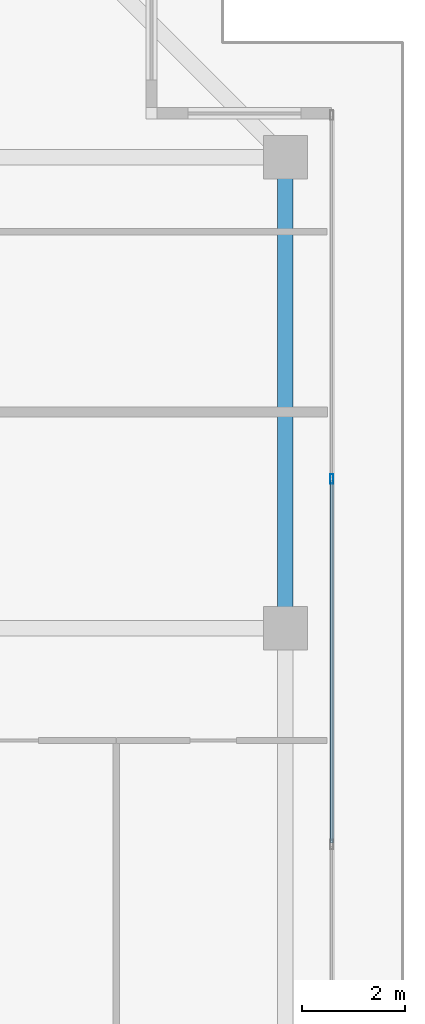
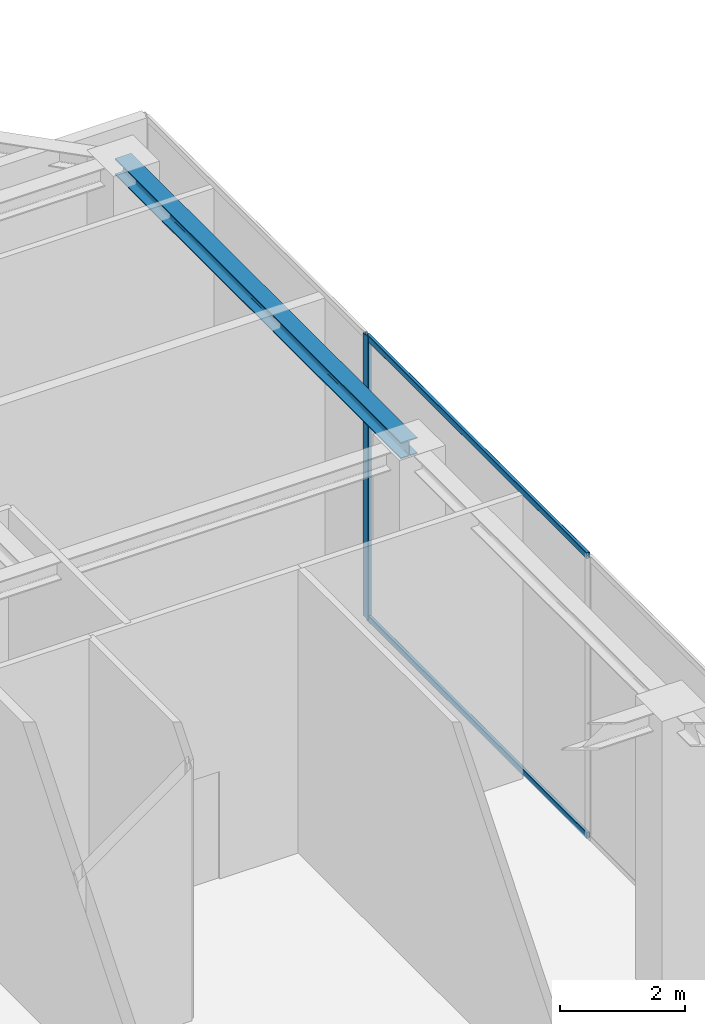
# One storey, part 16 of 38: 3 members, 1 beam, 1 element without a shape of its own.
"""IFC4 building model written with IfcOpenShell, lengths in metres."""

from ifc_helpers import new_model, si_unit, direction, frame, origin, origin_2d, place, context, subcontext, project, spatial, hollow_rectangle, i_section, extrude, source, transform, mapped, material, layer, layer_set, material_profile, profile_set, type_object, element, aggregate, save


model = new_model("IFC4")

# Units and contexts
model_context = context("Model", 3, precision=1e-05, world=origin(), true_north=direction((0.0, 1.0)))
body_context = subcontext(model_context, "Body", "Model", "MODEL_VIEW")
ifc_project = project(units=[si_unit("LENGTHUNIT", "METRE"), si_unit("AREAUNIT", "SQUARE_METRE"), si_unit("VOLUMEUNIT", "CUBIC_METRE"), si_unit("PLANEANGLEUNIT", "RADIAN"), si_unit("MASSUNIT", "GRAM", prefix="KILO")], contexts=[model_context])

# Site, building, storey
site_placement = place(None, origin())
site = spatial("IfcSite", under=ifc_project, at=site_placement, CompositionType="ELEMENT")
building_placement = place(site_placement, origin())
building = spatial("IfcBuilding", under=site, at=building_placement, Name="Serunith Strait Residences", CompositionType="ELEMENT")
storey_placement = place(building_placement, frame((0.0, 0.0, 353.85009765625)))
storey = spatial("IfcBuildingStorey", under=building, at=storey_placement, Name="L87", CompositionType="ELEMENT", Elevation=353.85009765625)

# Beam
ifc_material_1 = material(Name="Steel S355J2", Category="steel")
ifc_material_profile_1 = material_profile(ifc_material_1, i_section(OverallWidth=0.300048828125, OverallDepth=0.320068359375, WebThickness=0.011474609375, FlangeThickness=0.0205078125, FilletRadius=0.027099609375, at=origin_2d()), Name="HEB 320")
ifc_profile_set_1 = profile_set([ifc_material_profile_1], Name="Steel S355J2")
beam_type = type_object("IfcBeamType", Name="BM-HEB320", PredefinedType="BEAM", material=ifc_profile_set_1)
shared_shape_1 = source(origin(), body_context, "Body", "SweptSolid", [
    extrude(i_section(OverallWidth=0.300048828125, OverallDepth=0.320068359375, WebThickness=0.011474609375, FlangeThickness=0.0205078125, FilletRadius=0.027099609375, at=origin_2d()), origin(), (0.0, 0.0, 1.0), 9.150146484375),
])
beam_placement = place(storey_placement, frame((53.10009765625, 29.39990234375, 5.376953125), z_axis=(0.0, 1.0, 0.0), x_axis=(-1.0, 0.0, 0.0)))
element("IfcBeam", 1, at=beam_placement, inside=storey, type_object=beam_type, Name="L87 Perimeter Ring Beam 07", PredefinedType="BEAM", context=body_context, shape_type="MappedRepresentation", body=[
    mapped(shared_shape_1, transform((0.0, 0.0, 0.0), scale=1.0)),
])

# Curtain wall, members
ifc_material_2 = material(Name="Brushed Stainless-Silver Aluminium", Category="aluminium")
ifc_layer = layer(ifc_material_2, 0.199951171875, Name="Brushed Stainless-Silver Aluminium")
ifc_layer_set = layer_set([ifc_layer], Name="Brushed Stainless-Silver Aluminium")
curtain_wall_type = type_object("IfcCurtainWallType", Name="CW-SYS5", PredefinedType="NOTDEFINED", material=ifc_layer_set)
curtain_wall_placement = place(storey_placement, origin())
curtain_wall = element("IfcCurtainWall", 2, at=curtain_wall_placement, inside=storey, type_object=curtain_wall_type, Name="L87 E Unitised Fritted Curtain Wall", PredefinedType="NOTDEFINED")
ifc_material_profile_2 = material_profile(ifc_material_2, hollow_rectangle(XDim=0.06005859375, YDim=0.1201171875, WallThickness=0.00341796875, InnerFilletRadius=0.00537109375, OuterFilletRadius=0.0087890625, at=origin_2d()), Name="ALU 120x60x3.5")
ifc_profile_set_2 = profile_set([ifc_material_profile_2], Name="Brushed Stainless-Silver Aluminium")
member_type_1 = type_object("IfcMemberType", Name="CW-SYS5-TRAN", PredefinedType="USERDEFINED", material=ifc_profile_set_2)
shared_shape_2 = source(origin(), body_context, "Body", "SweptSolid", [
    extrude(hollow_rectangle(XDim=0.06005859375, YDim=0.1201171875, WallThickness=0.00341796875, InnerFilletRadius=0.00537109375, OuterFilletRadius=0.0087890625, at=origin_2d()), origin(), (0.0, 0.0, 1.0), 7.03515625),
])
member_1_placement = place(storey_placement, frame((54.0, 25.232421875, 0.02978515625), z_axis=(0.0, 1.0, 0.0), x_axis=(-1.0, 0.0, 0.0)))
member_1 = element("IfcMember", 3, at=member_1_placement, type_object=member_type_1, Name="CW-5 transom 3.1", ObjectType="TRANSOM", PredefinedType="USERDEFINED", context=body_context, shape_type="MappedRepresentation", body=[
    mapped(shared_shape_2, transform((0.0, 0.0, 0.0), scale=1.0)),
])
member_2_placement = place(storey_placement, frame((54.0, 25.232421875, 5.494873046875), z_axis=(0.0, 1.0, 0.0), x_axis=(-1.0, 0.0, 0.0)))
member_2 = element("IfcMember", 4, at=member_2_placement, type_object=member_type_1, Name="CW-5 transom 3.2", ObjectType="TRANSOM", PredefinedType="USERDEFINED", context=body_context, shape_type="MappedRepresentation", body=[
    mapped(shared_shape_2, transform((0.0, 0.0, 0.0), scale=1.0)),
])
ifc_material_profile_3 = material_profile(ifc_material_2, hollow_rectangle(XDim=0.06494140625, YDim=0.179931640625, WallThickness=0.00341796875, InnerFilletRadius=0.00537109375, OuterFilletRadius=0.0087890625, at=origin_2d()), Name="ALU 180x65x3.5")
ifc_profile_set_3 = profile_set([ifc_material_profile_3], Name="Brushed Stainless-Silver Aluminium")
member_type_2 = type_object("IfcMemberType", Name="CW-SYS5-MULL", PredefinedType="MULLION", material=ifc_profile_set_3)
shared_shape_3 = source(origin(), body_context, "Body", "SweptSolid", [
    extrude(hollow_rectangle(XDim=0.06494140625, YDim=0.179931640625, WallThickness=0.00341796875, InnerFilletRadius=0.00537109375, OuterFilletRadius=0.0087890625, at=origin_2d()), origin(), (0.0, 0.0, 1.0), 5.52490234375),
])
member_3_placement = place(storey_placement, frame((54.0, 32.300048828125, 0.0), z_axis=(0.0, 0.0, 1.0), x_axis=(-1.0, 0.0, 0.0)))
member_3 = element("IfcMember", 5, at=member_3_placement, type_object=member_type_2, Name="CW-5 mullion 4", PredefinedType="MULLION", context=body_context, shape_type="MappedRepresentation", body=[
    mapped(shared_shape_3, transform((0.0, 0.0, 0.0), scale=1.0)),
])
aggregate(curtain_wall, [member_3, member_1, member_2])

save(model, "model.ifc")
